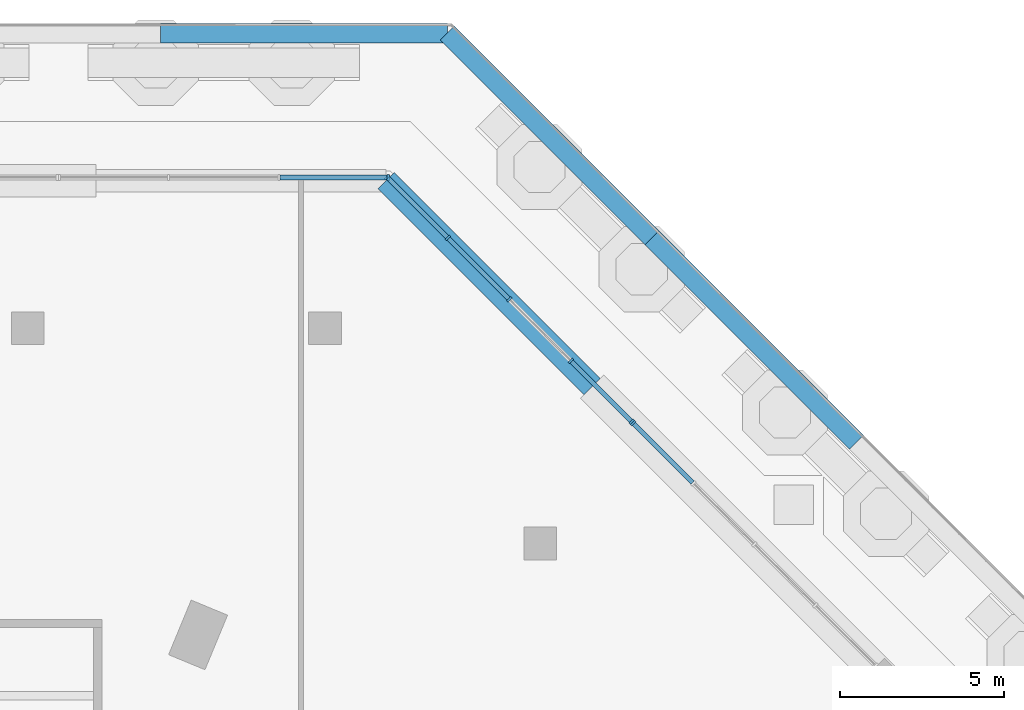
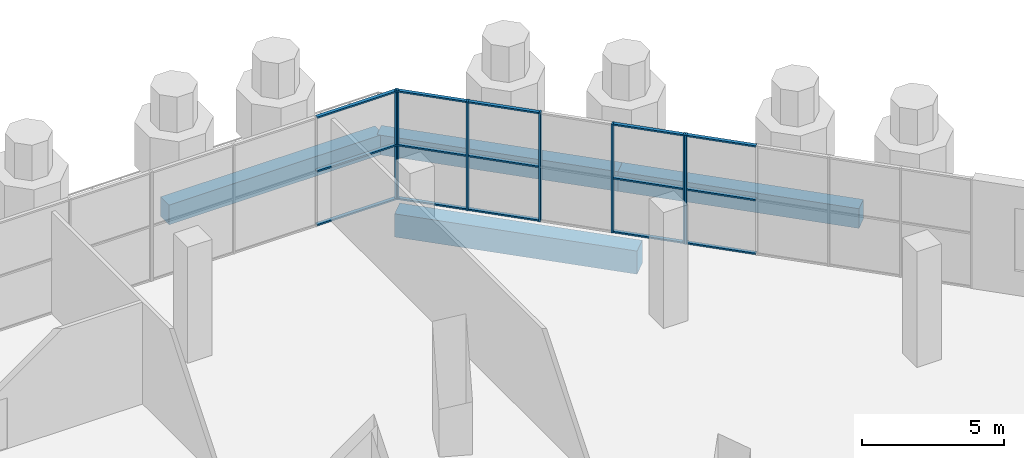
# One storey, part 17 of 32: 22 members, 4 beams, 3 elements without a shape of their own.
"""IFC4 building model written with IfcOpenShell, lengths in metres."""

from ifc_helpers import new_model, si_unit, direction, frame, origin, origin_2d, place, context, subcontext, project, spatial, rectangle, extrude, material, material_profile, profile_set, type_object, element, aggregate, save


model = new_model("IFC4")

# Units and contexts
model_context = context("Model", 3, precision=1e-05, world=origin(), true_north=direction((0.0, 1.0)))
body_context = subcontext(model_context, "Body", "Model", "MODEL_VIEW")
ifc_project = project(units=[si_unit("LENGTHUNIT", "METRE"), si_unit("AREAUNIT", "SQUARE_METRE"), si_unit("VOLUMEUNIT", "CUBIC_METRE"), si_unit("PLANEANGLEUNIT", "RADIAN"), si_unit("MASSUNIT", "GRAM", prefix="KILO")], contexts=[model_context])

# Site, building, storey
site_placement = place(None, origin())
site = spatial("IfcSite", under=ifc_project, at=site_placement, CompositionType="ELEMENT")
building_placement = place(site_placement, origin())
building = spatial("IfcBuilding", under=site, at=building_placement, Name="Msitu Wima Residences", CompositionType="ELEMENT")
storey_placement = place(building_placement, frame((0.0, 0.0, 6.0)))
storey = spatial("IfcBuildingStorey", under=building, at=storey_placement, Name="L01", CompositionType="ELEMENT", Elevation=6.0)

# Curtain wall, member
ifc_material_1 = material(Name="Anodised aluminium, bronze finish, clear low-emissivity double glazing", Category="aluminium")
curtain_wall_type = type_object("IfcCurtainWallType", Name="Curtain wall CW5 retail shopfront", PredefinedType="NOTDEFINED", material=ifc_material_1)
curtain_wall_1_placement = place(storey_placement, origin())
curtain_wall_1 = element("IfcCurtainWall", 1, at=curtain_wall_1_placement, inside=storey, type_object=curtain_wall_type, Name="Curtain wall CW5 L01 NE1", PredefinedType="NOTDEFINED")
ifc_material_2 = material(Name="Anodised aluminium, bronze finish", Category="aluminium")
ifc_material_profile_1 = material_profile(ifc_material_2, rectangle(XDim=0.179931640625, YDim=0.06494140625, at=origin_2d()), Name="Mullion 65x180")
ifc_profile_set_1 = profile_set([ifc_material_profile_1], Name="Anodised aluminium, bronze finish")
member_type_1 = type_object("IfcMemberType", Name="Mullion CW5 65x180", PredefinedType="MULLION", material=ifc_profile_set_1)
member_1_placement = place(storey_placement, frame((27.521728515625, 34.91162109375, 0.0), z_axis=(0.0, 0.0, 1.0), x_axis=(-0.707106781187, -0.707106781187, 0.0)))
member_1 = element("IfcMember", 2, at=member_1_placement, type_object=member_type_1, Name="CW5 mullion 5", PredefinedType="MULLION", context=body_context, shape_type="SweptSolid", body=[
    extrude(rectangle(XDim=0.179931640625, YDim=0.06494140625, at=origin_2d()), origin(), (0.0, 0.0, 1.0), 4.699951171875),
])

# Curtain wall, members
curtain_wall_2_placement = place(storey_placement, origin())
curtain_wall_2 = element("IfcCurtainWall", 3, at=curtain_wall_2_placement, inside=storey, type_object=curtain_wall_type, Name="Curtain wall CW5 L01 NE2", PredefinedType="NOTDEFINED")
member_2_placement = place(storey_placement, frame((27.4755859375, 34.957763671875, 0.0), z_axis=(0.0, 0.0, 1.0), x_axis=(-0.707106781187, -0.707106781187, 0.0)))
member_2 = element("IfcMember", 4, at=member_2_placement, type_object=member_type_1, Name="CW5 mullion 1", PredefinedType="MULLION", context=body_context, shape_type="SweptSolid", body=[
    extrude(rectangle(XDim=0.179931640625, YDim=0.06494140625, at=origin_2d()), origin(), (0.0, 0.0, 1.0), 4.699951171875),
])
member_3_placement = place(storey_placement, frame((25.623046875, 36.81005859375, 0.0), z_axis=(0.0, 0.0, 1.0), x_axis=(-0.707106781187, -0.707106781187, 0.0)))
member_3 = element("IfcMember", 5, at=member_3_placement, type_object=member_type_1, Name="CW5 mullion 2", PredefinedType="MULLION", context=body_context, shape_type="SweptSolid", body=[
    extrude(rectangle(XDim=0.179931640625, YDim=0.06494140625, at=origin_2d()), origin(), (0.0, 0.0, 1.0), 4.699951171875),
])
member_4_placement = place(storey_placement, frame((23.74755859375, 38.685546875, 0.0), z_axis=(0.0, 0.0, 1.0), x_axis=(-0.707106781187, -0.707106781187, 0.0)))
member_4 = element("IfcMember", 6, at=member_4_placement, type_object=member_type_1, Name="CW5 mullion 3", PredefinedType="MULLION", context=body_context, shape_type="SweptSolid", body=[
    extrude(rectangle(XDim=0.179931640625, YDim=0.06494140625, at=origin_2d()), origin(), (0.0, 0.0, 1.0), 4.699951171875),
])
member_5_placement = place(storey_placement, frame((21.8720703125, 40.56103515625, 0.0), z_axis=(0.0, 0.0, 1.0), x_axis=(-0.707106781187, -0.707106781187, 0.0)))
member_5 = element("IfcMember", 7, at=member_5_placement, type_object=member_type_1, Name="CW5 mullion 4", PredefinedType="MULLION", context=body_context, shape_type="SweptSolid", body=[
    extrude(rectangle(XDim=0.179931640625, YDim=0.06494140625, at=origin_2d()), origin(), (0.0, 0.0, 1.0), 4.699951171875),
])
member_6_placement = place(storey_placement, frame((20.019775390625, 42.41357421875, 0.0), z_axis=(0.0, 0.0, 1.0), x_axis=(-0.707106781187, -0.707106781187, 0.0)))
member_6 = element("IfcMember", 8, at=member_6_placement, type_object=member_type_1, Name="CW5 mullion 5", PredefinedType="MULLION", context=body_context, shape_type="SweptSolid", body=[
    extrude(rectangle(XDim=0.179931640625, YDim=0.06494140625, at=origin_2d()), origin(), (0.0, 0.0, 1.0), 4.699951171875),
])

# Curtain wall, member
curtain_wall_3_placement = place(storey_placement, origin())
curtain_wall_3 = element("IfcCurtainWall", 9, at=curtain_wall_3_placement, inside=storey, type_object=curtain_wall_type, Name="Curtain wall CW5 L01 N0", PredefinedType="NOTDEFINED")
member_7_placement = place(storey_placement, frame((20.052490234375, 42.39990234375, 0.0), z_axis=(0.0, 0.0, 1.0), x_axis=(0.0, -1.0, 0.0)))
member_7 = element("IfcMember", 10, at=member_7_placement, type_object=member_type_1, Name="CW5 mullion 1", PredefinedType="MULLION", context=body_context, shape_type="SweptSolid", body=[
    extrude(rectangle(XDim=0.179931640625, YDim=0.06494140625, at=origin_2d()), origin(), (0.0, 0.0, 1.0), 4.699951171875),
])

# Beams
ifc_material_3 = material(Name="Concrete C60/75", Category="concrete")
ifc_material_profile_2 = material_profile(ifc_material_3, rectangle(XDim=0.60009765625, YDim=0.85009765625, at=origin_2d()), Name="RC 600x850")
ifc_profile_set_2 = profile_set([ifc_material_profile_2], Name="Concrete C60/75")
beam_type_1 = type_object("IfcBeamType", Name="Terrace beam RC 600x850 Concrete C60/75", PredefinedType="BEAM", material=ifc_profile_set_2)
for number, where, z_axis, x_axis, name in (
    (11, (34.327880859375, 34.327880859375, -0.77490234375), (-0.707106781187, 0.707106781187, 0.0), (-0.707106781187, -0.707106781187, 0.0), "Terrace edge beam L00 C-NE2"),
    (12, (28.091796875, 40.56396484375, -0.77490234375), (-0.707092939282, 0.70712062282, 0.0), (-0.70712062282, -0.707092939282, 0.0), "Terrace edge beam L00 C-NE3"),
):
    element("IfcBeam", number, at=place(storey_placement, frame(where, z_axis=z_axis, x_axis=x_axis)), inside=storey, type_object=beam_type_1, Name=name, PredefinedType="BEAM", context=body_context, shape_type="SweptSolid", body=[
        extrude(rectangle(XDim=0.60009765625, YDim=0.85009765625, at=origin_2d()), origin(), (0.0, 0.0, 1.0), 8.819091796875),
    ])
beam_1_placement = place(storey_placement, frame((21.85595703125, 46.800048828125, -0.77490234375), z_axis=(-1.0, 0.0, 0.0), x_axis=(0.0, -1.0, 0.0)))
element("IfcBeam", 13, at=beam_1_placement, inside=storey, type_object=beam_type_1, Name="Terrace edge beam L00 C-N0", PredefinedType="BEAM", context=body_context, shape_type="SweptSolid", body=[
    extrude(rectangle(XDim=0.60009765625, YDim=0.85009765625, at=origin_2d()), origin(), (0.0, 0.0, 1.0), 8.742431640625),
])
ifc_material_profile_3 = material_profile(ifc_material_3, rectangle(XDim=0.699951171875, YDim=1.0, at=origin_2d()), Name="RC 700x1000")
ifc_profile_set_3 = profile_set([ifc_material_profile_3], Name="Concrete C60/75")
beam_type_2 = type_object("IfcBeamType", Name="Terrace beam RC 700x1000 Concrete C60/75", PredefinedType="BEAM", material=ifc_profile_set_3)
beam_2_placement = place(storey_placement, frame((26.267822265625, 36.02392578125, -0.85009765625), z_axis=(-0.70709302759, 0.707120534516, 0.0), x_axis=(-0.707120534516, -0.70709302759, 0.0)))
element("IfcBeam", 14, at=beam_2_placement, inside=storey, type_object=beam_type_2, Name="Terrace upstand-line beam L01 T18", PredefinedType="BEAM", context=body_context, shape_type="SweptSolid", body=[
    extrude(rectangle(XDim=0.699951171875, YDim=1.0, at=origin_2d()), origin(), (0.0, 0.0, 1.0), 8.87548828125),
])

# Member
ifc_material_profile_4 = material_profile(ifc_material_2, rectangle(XDim=0.139892578125, YDim=0.06494140625, at=origin_2d()), Name="Transom 65x140")
ifc_profile_set_4 = profile_set([ifc_material_profile_4], Name="Anodised aluminium, bronze finish")
member_type_2 = type_object("IfcMemberType", Name="Transom CW5 65x140", PredefinedType="USERDEFINED", material=ifc_profile_set_4)
member_8_placement = place(storey_placement, frame((29.334716796875, 33.0986328125, 0.032470703125), z_axis=(-0.707106781187, 0.707106781187, 0.0), x_axis=(-0.707106781187, -0.707106781187, 0.0)))
member_8 = element("IfcMember", 15, at=member_8_placement, type_object=member_type_2, Name="CW5 transom 4.1", ObjectType="TRANSOM", PredefinedType="USERDEFINED", context=body_context, shape_type="SweptSolid", body=[
    extrude(rectangle(XDim=0.139892578125, YDim=0.06494140625, at=origin_2d()), origin(), (0.0, 0.0, 1.0), 2.531494140625),
])

member_9_placement = place(storey_placement, frame((29.334716796875, 33.0986328125, 2.35009765625), z_axis=(-0.707106781187, 0.707106781187, 0.0), x_axis=(-0.707106781187, -0.707106781187, 0.0)))
member_9 = element("IfcMember", 16, at=member_9_placement, type_object=member_type_2, Name="CW5 transom 4.2", ObjectType="TRANSOM", PredefinedType="USERDEFINED", context=body_context, shape_type="SweptSolid", body=[
    extrude(rectangle(XDim=0.139892578125, YDim=0.06494140625, at=origin_2d()), origin(), (0.0, 0.0, 1.0), 2.531494140625),
])

member_10_placement = place(storey_placement, frame((29.334716796875, 33.0986328125, 4.66748046875), z_axis=(-0.707106781187, 0.707106781187, 0.0), x_axis=(-0.707106781187, -0.707106781187, 0.0)))
member_10 = element("IfcMember", 17, at=member_10_placement, type_object=member_type_2, Name="CW5 transom 4.3", ObjectType="TRANSOM", PredefinedType="USERDEFINED", context=body_context, shape_type="SweptSolid", body=[
    extrude(rectangle(XDim=0.139892578125, YDim=0.06494140625, at=origin_2d()), origin(), (0.0, 0.0, 1.0), 2.531494140625),
])

aggregate(curtain_wall_1, [member_1, member_8, member_9, member_10])

member_11_placement = place(storey_placement, frame((27.45263671875, 34.980712890625, 0.032470703125), z_axis=(-0.707106781187, 0.707106781187, 0.0), x_axis=(-0.707106781187, -0.707106781187, 0.0)))
member_11 = element("IfcMember", 18, at=member_11_placement, type_object=member_type_2, Name="CW5 transom 1.1", ObjectType="TRANSOM", PredefinedType="USERDEFINED", context=body_context, shape_type="SweptSolid", body=[
    extrude(rectangle(XDim=0.139892578125, YDim=0.06494140625, at=origin_2d()), origin(), (0.0, 0.0, 1.0), 2.5546875),
])

member_12_placement = place(storey_placement, frame((27.45263671875, 34.980712890625, 2.35009765625), z_axis=(-0.707106781187, 0.707106781187, 0.0), x_axis=(-0.707106781187, -0.707106781187, 0.0)))
member_12 = element("IfcMember", 19, at=member_12_placement, type_object=member_type_2, Name="CW5 transom 1.2", ObjectType="TRANSOM", PredefinedType="USERDEFINED", context=body_context, shape_type="SweptSolid", body=[
    extrude(rectangle(XDim=0.139892578125, YDim=0.06494140625, at=origin_2d()), origin(), (0.0, 0.0, 1.0), 2.5546875),
])

member_13_placement = place(storey_placement, frame((27.45263671875, 34.980712890625, 4.66748046875), z_axis=(-0.707106781187, 0.707106781187, 0.0), x_axis=(-0.707106781187, -0.707106781187, 0.0)))
member_13 = element("IfcMember", 20, at=member_13_placement, type_object=member_type_2, Name="CW5 transom 1.3", ObjectType="TRANSOM", PredefinedType="USERDEFINED", context=body_context, shape_type="SweptSolid", body=[
    extrude(rectangle(XDim=0.139892578125, YDim=0.06494140625, at=origin_2d()), origin(), (0.0, 0.0, 1.0), 2.5546875),
])

member_14_placement = place(storey_placement, frame((23.724609375, 38.708740234375, 0.032470703125), z_axis=(-0.707106781187, 0.707106781187, 0.0), x_axis=(-0.707106781187, -0.707106781187, 0.0)))
member_14 = element("IfcMember", 21, at=member_14_placement, type_object=member_type_2, Name="CW5 transom 3.1", ObjectType="TRANSOM", PredefinedType="USERDEFINED", context=body_context, shape_type="SweptSolid", body=[
    extrude(rectangle(XDim=0.139892578125, YDim=0.06494140625, at=origin_2d()), origin(), (0.0, 0.0, 1.0), 2.587158203125),
])

member_15_placement = place(storey_placement, frame((23.724609375, 38.708740234375, 2.35009765625), z_axis=(-0.707106781187, 0.707106781187, 0.0), x_axis=(-0.707106781187, -0.707106781187, 0.0)))
member_15 = element("IfcMember", 22, at=member_15_placement, type_object=member_type_2, Name="CW5 transom 3.2", ObjectType="TRANSOM", PredefinedType="USERDEFINED", context=body_context, shape_type="SweptSolid", body=[
    extrude(rectangle(XDim=0.139892578125, YDim=0.06494140625, at=origin_2d()), origin(), (0.0, 0.0, 1.0), 2.587158203125),
])

member_16_placement = place(storey_placement, frame((23.724609375, 38.708740234375, 4.66748046875), z_axis=(-0.707106781187, 0.707106781187, 0.0), x_axis=(-0.707106781187, -0.707106781187, 0.0)))
member_16 = element("IfcMember", 23, at=member_16_placement, type_object=member_type_2, Name="CW5 transom 3.3", ObjectType="TRANSOM", PredefinedType="USERDEFINED", context=body_context, shape_type="SweptSolid", body=[
    extrude(rectangle(XDim=0.139892578125, YDim=0.06494140625, at=origin_2d()), origin(), (0.0, 0.0, 1.0), 2.587158203125),
])

member_17_placement = place(storey_placement, frame((21.84912109375, 40.584228515625, 0.032470703125), z_axis=(-0.707106781187, 0.707106781187, 0.0), x_axis=(-0.707106781187, -0.707106781187, 0.0)))
member_17 = element("IfcMember", 24, at=member_17_placement, type_object=member_type_2, Name="CW5 transom 4.1", ObjectType="TRANSOM", PredefinedType="USERDEFINED", context=body_context, shape_type="SweptSolid", body=[
    extrude(rectangle(XDim=0.139892578125, YDim=0.06494140625, at=origin_2d()), origin(), (0.0, 0.0, 1.0), 2.5546875),
])

member_18_placement = place(storey_placement, frame((21.84912109375, 40.584228515625, 2.35009765625), z_axis=(-0.707106781187, 0.707106781187, 0.0), x_axis=(-0.707106781187, -0.707106781187, 0.0)))
member_18 = element("IfcMember", 25, at=member_18_placement, type_object=member_type_2, Name="CW5 transom 4.2", ObjectType="TRANSOM", PredefinedType="USERDEFINED", context=body_context, shape_type="SweptSolid", body=[
    extrude(rectangle(XDim=0.139892578125, YDim=0.06494140625, at=origin_2d()), origin(), (0.0, 0.0, 1.0), 2.5546875),
])

member_19_placement = place(storey_placement, frame((21.84912109375, 40.584228515625, 4.66748046875), z_axis=(-0.707106781187, 0.707106781187, 0.0), x_axis=(-0.707106781187, -0.707106781187, 0.0)))
member_19 = element("IfcMember", 26, at=member_19_placement, type_object=member_type_2, Name="CW5 transom 4.3", ObjectType="TRANSOM", PredefinedType="USERDEFINED", context=body_context, shape_type="SweptSolid", body=[
    extrude(rectangle(XDim=0.139892578125, YDim=0.06494140625, at=origin_2d()), origin(), (0.0, 0.0, 1.0), 2.5546875),
])

aggregate(curtain_wall_2, [member_2, member_3, member_4, member_5, member_6, member_11, member_12, member_13, member_14, member_15, member_16, member_17, member_18, member_19])

member_20_placement = place(storey_placement, frame((20.02001953125, 42.39990234375, 0.032470703125), z_axis=(-1.0, 0.0, 0.0), x_axis=(0.0, -1.0, 0.0)))
member_20 = element("IfcMember", 27, at=member_20_placement, type_object=member_type_2, Name="CW5 transom 1.1", ObjectType="TRANSOM", PredefinedType="USERDEFINED", context=body_context, shape_type="SweptSolid", body=[
    extrude(rectangle(XDim=0.139892578125, YDim=0.06494140625, at=origin_2d()), origin(), (0.0, 0.0, 1.0), 3.265380859375),
])

member_21_placement = place(storey_placement, frame((20.02001953125, 42.39990234375, 2.35009765625), z_axis=(-1.0, 0.0, 0.0), x_axis=(0.0, -1.0, 0.0)))
member_21 = element("IfcMember", 28, at=member_21_placement, type_object=member_type_2, Name="CW5 transom 1.2", ObjectType="TRANSOM", PredefinedType="USERDEFINED", context=body_context, shape_type="SweptSolid", body=[
    extrude(rectangle(XDim=0.139892578125, YDim=0.06494140625, at=origin_2d()), origin(), (0.0, 0.0, 1.0), 3.265380859375),
])

member_22_placement = place(storey_placement, frame((20.02001953125, 42.39990234375, 4.66748046875), z_axis=(-1.0, 0.0, 0.0), x_axis=(0.0, -1.0, 0.0)))
member_22 = element("IfcMember", 29, at=member_22_placement, type_object=member_type_2, Name="CW5 transom 1.3", ObjectType="TRANSOM", PredefinedType="USERDEFINED", context=body_context, shape_type="SweptSolid", body=[
    extrude(rectangle(XDim=0.139892578125, YDim=0.06494140625, at=origin_2d()), origin(), (0.0, 0.0, 1.0), 3.265380859375),
])

aggregate(curtain_wall_3, [member_7, member_20, member_21, member_22])

save(model, "model.ifc")
